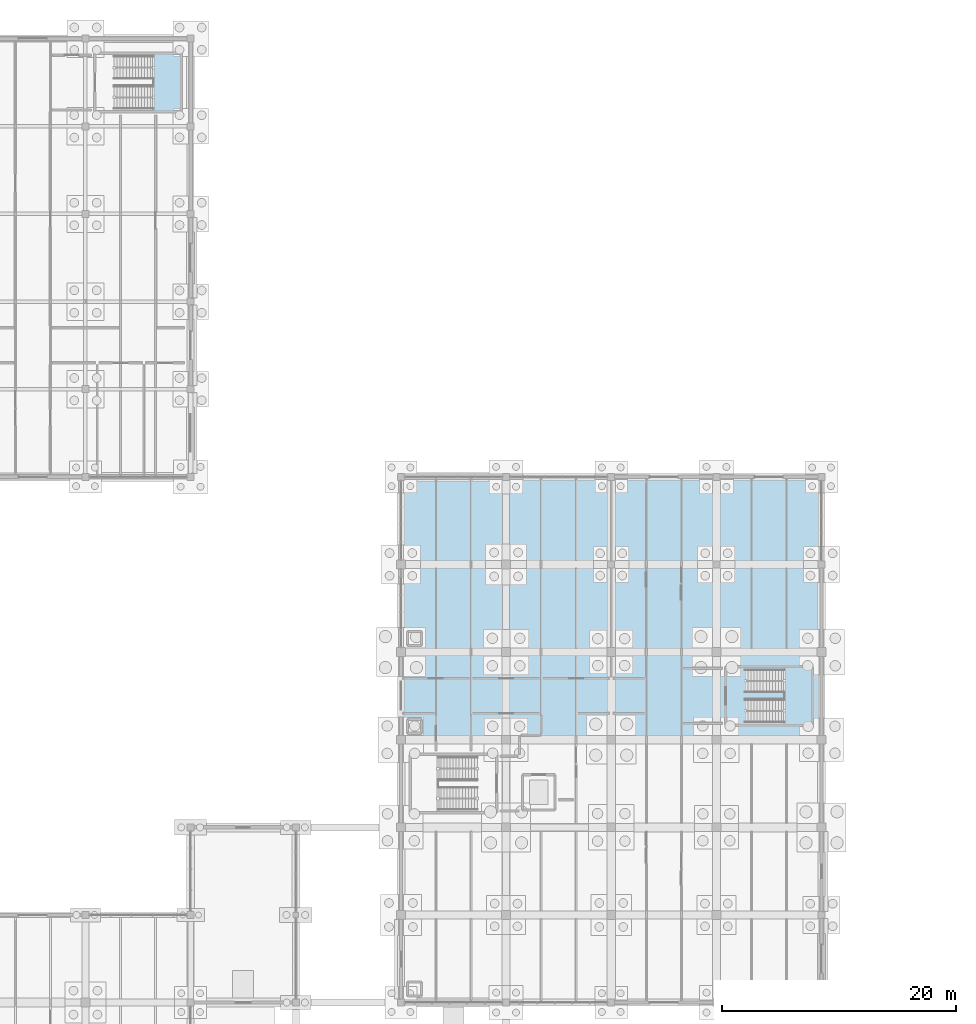
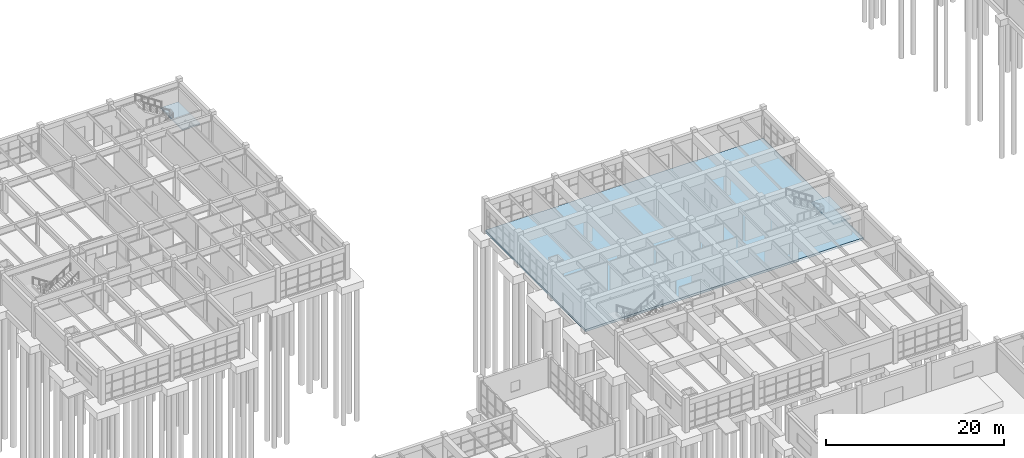
# One storey, part 51 of 93: 3 slabs, 2 elements without a shape of their own.
"""IFC4 building model written with IfcOpenShell, lengths in metres."""

from ifc_helpers import new_model, si_unit, direction, frame, origin, place, context, subcontext, project, spatial, polyline, outline, extrude, material, layer, layer_set, type_object, element, aggregate, save


model = new_model("IFC4")

# Units and contexts
model_context = context("Model", 3, precision=1e-05, world=origin(), true_north=direction((0.0, 1.0)))
body_context = subcontext(model_context, "Body", "Model", "MODEL_VIEW")
ifc_project = project(units=[si_unit("LENGTHUNIT", "METRE"), si_unit("AREAUNIT", "SQUARE_METRE"), si_unit("VOLUMEUNIT", "CUBIC_METRE"), si_unit("PLANEANGLEUNIT", "RADIAN"), si_unit("MASSUNIT", "GRAM", prefix="KILO")], contexts=[model_context])

# Site, building, storey
site_placement = place(None, origin())
site = spatial("IfcSite", under=ifc_project, at=site_placement, CompositionType="ELEMENT")
building_placement = place(site_placement, origin())
building = spatial("IfcBuilding", under=site, at=building_placement, Name="Marnridge Secondary College", CompositionType="ELEMENT")
storey_placement = place(building_placement, origin())
storey = spatial("IfcBuildingStorey", under=building, at=storey_placement, Name="L00", CompositionType="ELEMENT", Elevation=0.0)

# Slab
ifc_material_1 = material(Name="Concrete C40/50 (AS 3600 N40, 40 MPa)", Category="concrete")
ifc_layer_1 = layer(ifc_material_1, 0.300048828125)
ifc_layer_set_1 = layer_set([ifc_layer_1], Name="SL-BASE-300")
slab_type_1 = type_object("IfcSlabType", Name="SL-BASE-300", PredefinedType="BASESLAB", material=ifc_layer_set_1)
slab_1_placement = place(storey_placement, frame((0.0, 0.0, -0.300048828125)))
element("IfcSlab", 1, at=slab_1_placement, inside=storey, type_object=slab_type_1, Name="Floor slab SL-L00-002", PredefinedType="BASESLAB", context=body_context, shape_type="SweptSolid", body=[
    extrude(outline(polyline([(54.0, 82.5), (90.0, 82.5), (90.0, 60.0), (54.0, 60.0), (54.0, 82.5)])), origin(), (0.0, 0.0, 1.0), 0.300048828125),
])

# Stair, slab
ifc_material_2 = material(Name="Concrete C40/50 (AS 3600 N40, 40 MPa)", Category="concrete")
stair_type = type_object("IfcStairType", Name="STC1", PredefinedType="HALF_TURN_STAIR", material=ifc_material_2)
stair_1_placement = place(storey_placement, origin())
stair_1 = element("IfcStair", 2, at=stair_1_placement, inside=storey, type_object=stair_type, Name="Fire-isolated stair ST-02-L00", PredefinedType="HALF_TURN_STAIR")
ifc_material_3 = material(Name="Concrete C40/50 (AS 3600 N40, 40 MPa)", Category="concrete")
ifc_layer_2 = layer(ifc_material_3, 0.199951171875)
ifc_layer_set_2 = layer_set([ifc_layer_2], Name="SL-LAND-200")
slab_type_2 = type_object("IfcSlabType", Name="SL-LAND-200", PredefinedType="LANDING", material=ifc_layer_set_2)
slab_2_placement = place(storey_placement, frame((0.0, 0.0, 2.050048828125)))
slab_2 = element("IfcSlab", 3, at=slab_2_placement, type_object=slab_type_2, Name="ST-02-L00 landing 1", PredefinedType="LANDING", context=body_context, shape_type="SweptSolid", body=[
    extrude(outline(polyline([(86.830078125, 61.31005859375), (89.139892578125, 61.31005859375), (89.139892578125, 66.18994140625), (86.830078125, 66.18994140625), (86.830078125, 61.31005859375)])), origin(), (0.0, 0.0, 1.0), 0.199951171875),
])
aggregate(stair_1, [slab_2])

stair_2_placement = place(storey_placement, origin())
stair_2 = element("IfcStair", 4, at=stair_2_placement, inside=storey, type_object=stair_type, Name="Fire-isolated stair ST-06-L00", PredefinedType="HALF_TURN_STAIR")
slab_3_placement = place(storey_placement, frame((0.0, 0.0, 2.050048828125)))
slab_3 = element("IfcSlab", 5, at=slab_3_placement, type_object=slab_type_2, Name="ST-06-L00 landing 1", PredefinedType="LANDING", context=body_context, shape_type="SweptSolid", body=[
    extrude(outline(polyline([(32.830078125, 113.81005859375), (35.139892578125, 113.81005859375), (35.139892578125, 118.68994140625), (32.830078125, 118.68994140625), (32.830078125, 113.81005859375)])), origin(), (0.0, 0.0, 1.0), 0.199951171875),
])
aggregate(stair_2, [slab_3])

save(model, "model.ifc")
